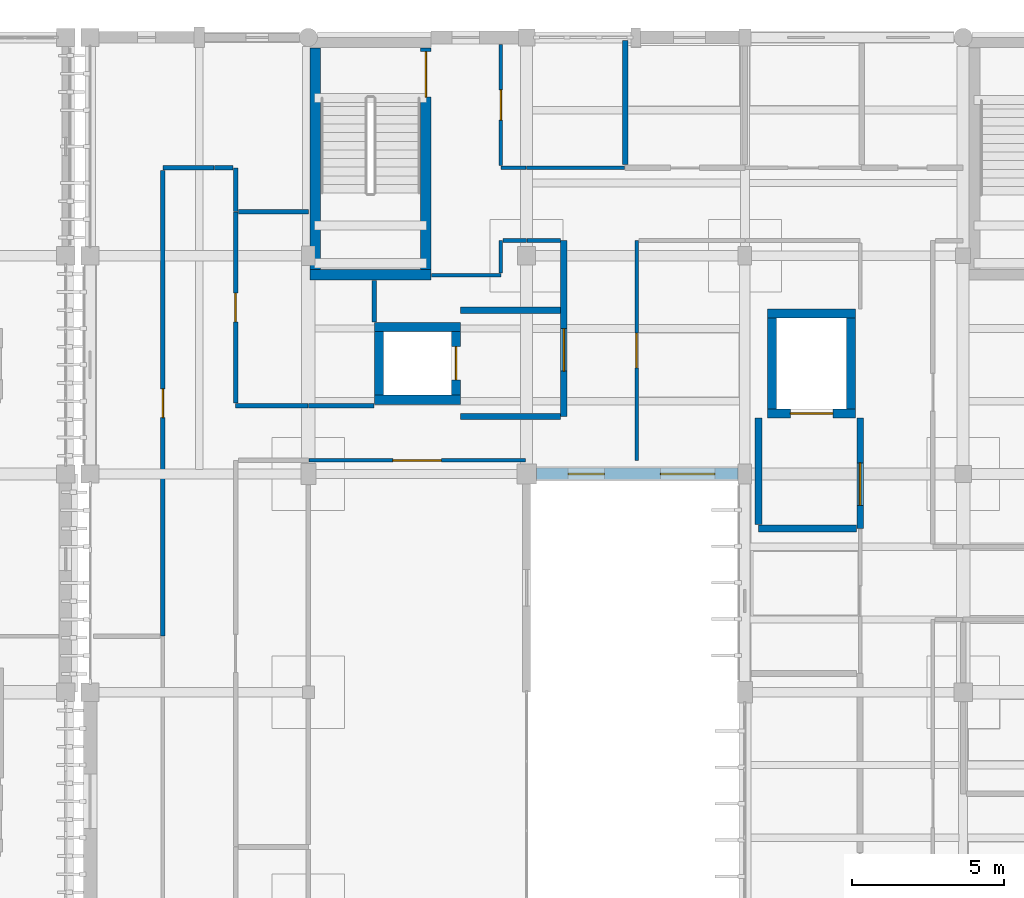
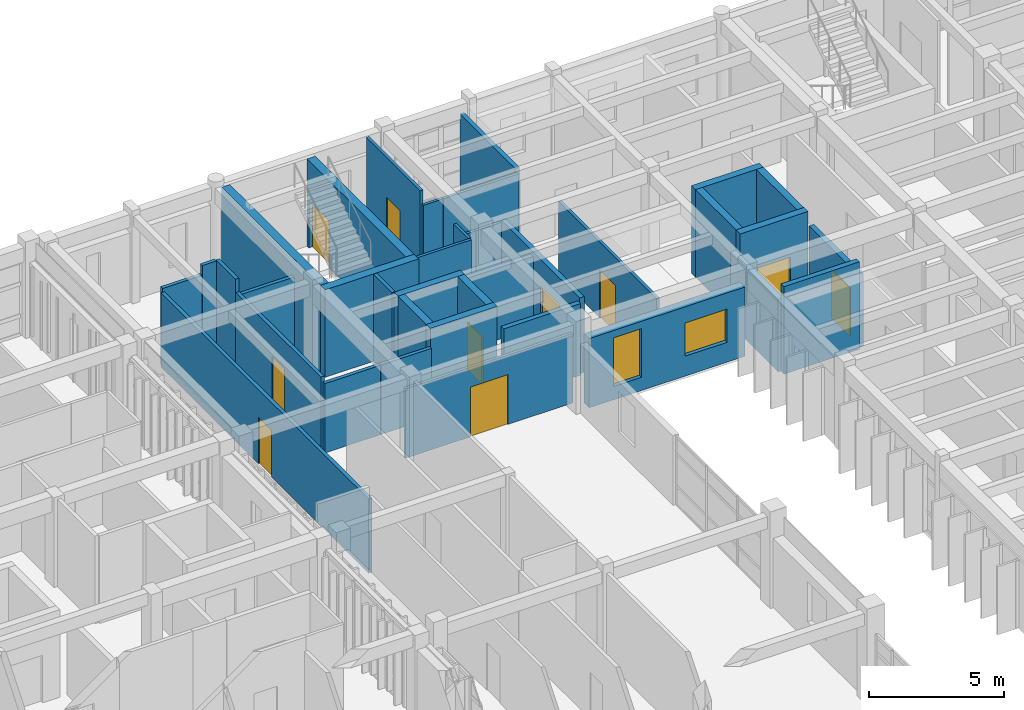
# One storey, part 39 of 55: 37 walls, 10 doors, 2 windows, 12 openings.
"""IFC4 building model written with IfcOpenShell, lengths in metres."""

import ifcopenshell
import ifcopenshell.guid

model = None  # the IFC model being written
_history = None  # IfcOwnerHistory: only IFC2X3 demands one
_inside = {}  # id of a spatial element -> (the spatial element, [elements in it])
_under = {}  # id of a project, library or spatial element -> (it, [spatial elements below it])
_declared = {}  # id of a project -> (the project, [libraries it declares])
_typed = {}  # id of a type object -> (the type object, [elements of that type])
_made_of = {}  # id of a material, layer set ... -> (it, [elements and type objects made of it])


def new_model(schema):
    """Start an empty IFC model of exactly this schema.

    Asked for "IFC4X3", IfcOpenShell would pick the latest addendum, in which some entities
    have other attributes; the version numbers below select the first issue.
    IFC2X3 requires an IfcOwnerHistory on every rooted entity: one is made here for all.
    """
    global model, _history
    if schema == "IFC4X3":
        model = ifcopenshell.file(schema_version=(4, 3, 0, 0))
    else:
        model = ifcopenshell.file(schema=schema)
    _inside.clear()
    _under.clear()
    _declared.clear()
    _typed.clear()
    _made_of.clear()
    _history = None
    if model.schema == "IFC2X3":
        org = make("IfcOrganization", Name="unknown")
        user = make(
            "IfcPersonAndOrganization",
            ThePerson=make("IfcPerson", FamilyName="unknown"),
            TheOrganization=org,
        )
        app = make(
            "IfcApplication",
            ApplicationDeveloper=org,
            Version="unknown",
            ApplicationFullName="unknown",
            ApplicationIdentifier="unknown",
        )
        _history = make(
            "IfcOwnerHistory",
            OwningUser=user,
            OwningApplication=app,
            ChangeAction="ADDED",
            CreationDate=0,
        )
    return model


def make(cls, **values):
    """One entity of the class cls with the attributes given. An attribute that is None is left unset."""
    return model.create_entity(
        cls, **{name: value for name, value in values.items() if value is not None}
    )


def rooted(cls, **values):
    """An entity with a GlobalId (a new one), such as an element, a storey or a relation."""
    return make(cls, GlobalId=ifcopenshell.guid.new(), OwnerHistory=_history, **values)


def si_unit(unit_type, name, prefix=None):
    """IfcSIUnit, for example si_unit("LENGTHUNIT", "METRE", prefix="MILLI")."""
    return make("IfcSIUnit", UnitType=unit_type, Prefix=prefix, Name=name)


def assignment(units):
    """IfcUnitAssignment: the units of a project."""
    return None if units is None else make("IfcUnitAssignment", Units=units)


def point(xyz):
    """IfcCartesianPoint."""
    return None if xyz is None else make("IfcCartesianPoint", Coordinates=xyz)


def direction(xyz):
    """IfcDirection."""
    return None if xyz is None else make("IfcDirection", DirectionRatios=xyz)


def frame(location, z_axis=None, x_axis=None):
    """IfcAxis2Placement3D, a coordinate frame: its origin and axes. An axis left out is left unset."""
    return make(
        "IfcAxis2Placement3D",
        Location=point(location),
        Axis=direction(z_axis),
        RefDirection=direction(x_axis),
    )


def frame_2d(location, x_axis=None):
    """IfcAxis2Placement2D, a coordinate frame in the plane: its origin and x axis."""
    return make(
        "IfcAxis2Placement2D", Location=point(location), RefDirection=direction(x_axis)
    )


def origin():
    """The frame at (0, 0, 0) with its axes left unset."""
    return frame((0.0, 0.0, 0.0))


def place(relative_to, where):
    """IfcLocalPlacement: puts the frame where relative to a parent placement (None: the world)."""
    return make(
        "IfcLocalPlacement", PlacementRelTo=relative_to, RelativePlacement=where
    )


def context(
    kind, dimensions, precision=None, world=None, true_north=None, identifier=None
):
    """IfcGeometricRepresentationContext, for example the 3D "Model" context."""
    return make(
        "IfcGeometricRepresentationContext",
        ContextIdentifier=identifier,
        ContextType=kind,
        CoordinateSpaceDimension=dimensions,
        Precision=precision,
        WorldCoordinateSystem=world,
        TrueNorth=true_north,
    )


def subcontext(parent, identifier, kind, view, scale=None):
    """IfcGeometricRepresentationSubContext, for example "Body" below "Model"."""
    return make(
        "IfcGeometricRepresentationSubContext",
        ContextIdentifier=identifier,
        ContextType=kind,
        ParentContext=parent,
        TargetScale=scale,
        TargetView=view,
    )


def project(units=None, contexts=None):
    """IfcProject with its units and contexts."""
    return rooted(
        "IfcProject",
        Name="project",
        RepresentationContexts=contexts,
        UnitsInContext=assignment(units),
    )


def spatial(cls, under=None, at=None, **own):
    """A site, building, storey or space (cls), placed at a placement, below another one or the project."""
    s = rooted(cls, ObjectPlacement=at, **own)
    if under is not None:
        _under.setdefault(under.id(), (under, []))[1].append(s)
    return s


def profile(cls, at=None, kind="AREA", **sizes):
    """A parametric profile (cls). Its sizes go by their IFC names, for example OverallWidth=200.0."""
    return make(cls, ProfileType=kind, Position=at, **sizes)


def rectangle(**sizes):
    """IfcRectangleProfileDef."""
    return profile("IfcRectangleProfileDef", **sizes)


def extrude(swept, where, along, depth):
    """IfcExtrudedAreaSolid: the profile swept, set in the frame where, extruded along a direction by depth."""
    return make(
        "IfcExtrudedAreaSolid",
        SweptArea=swept,
        Position=where,
        ExtrudedDirection=direction(along),
        Depth=depth,
    )


def shape(context_of_items, identifier, shape_type, items):
    """IfcShapeRepresentation: the items that make up one representation, for example the "Body"."""
    return make(
        "IfcShapeRepresentation",
        ContextOfItems=context_of_items,
        RepresentationIdentifier=identifier,
        RepresentationType=shape_type,
        Items=items,
    )


def material(Name=None, Category=None):
    """IfcMaterial."""
    return make("IfcMaterial", Name=Name, Category=Category)


def layer(
    of_material, thickness, ventilated=None, Name=None, Category=None, Priority=None
):
    """IfcMaterialLayer: one layer of a wall or slab, of a material (None: an air gap)."""
    return make(
        "IfcMaterialLayer",
        Material=of_material,
        LayerThickness=thickness,
        IsVentilated=ventilated,
        Name=Name,
        Category=Category,
        Priority=Priority,
    )


def layer_set(layers, Name=None):
    """IfcMaterialLayerSet."""
    return make("IfcMaterialLayerSet", MaterialLayers=layers, LayerSetName=Name)


def made_of(thing, what):
    """Note that an element or type object is made of a material, layer set ...; save() writes the relation."""
    if what is not None:
        _made_of.setdefault(what.id(), (what, []))[1].append(thing)
    return thing


def type_object(cls, material=None, **own):
    """A type object (cls), such as IfcWallType, which elements share."""
    return made_of(rooted(cls, **own), material)


def element(
    cls,
    number,
    at=None,
    inside=None,
    cuts=None,
    type_object=None,
    material=None,
    context=None,
    identifier="Body",
    shape_type=None,
    held_by="IfcProductDefinitionShape",
    body=None,
    shapes=None,
    **own,
):
    """One element of the class cls, such as IfcWall. Its Tag is "e" and its number.

    at: its placement. inside: the storey or other place that contains it. cuts: it is an
    opening in that element (IfcRelVoidsElement). A single representation is given by context,
    identifier, shape_type and body (its items); several are given by shapes. held_by: the class
    of the entity that holds the representations. save() writes the other relations.
    """
    e = rooted(cls, Tag="e%d" % number, ObjectPlacement=at, **own)
    if body is not None:
        shapes = [shape(context, identifier, shape_type, body)]
    if shapes is not None:
        e.Representation = make(held_by, Representations=shapes)
    if inside is not None:
        _inside.setdefault(inside.id(), (inside, []))[1].append(e)
    if cuts is not None:
        rooted(
            "IfcRelVoidsElement", RelatingBuildingElement=cuts, RelatedOpeningElement=e
        )
    if type_object is not None:
        _typed.setdefault(type_object.id(), (type_object, []))[1].append(e)
    return made_of(e, material)


def fill(opening, filler):
    """IfcRelFillsElement: the door or window that sits in an opening."""
    return rooted(
        "IfcRelFillsElement",
        RelatingOpeningElement=opening,
        RelatedBuildingElement=filler,
    )


def aggregate(whole, parts):
    """IfcRelAggregates: a whole, such as a stair, and the parts it consists of."""
    return rooted("IfcRelAggregates", RelatingObject=whole, RelatedObjects=parts)


def save(model, path):
    """Write the relations noted so far, then the file.

    IfcRelAggregates (storeys below a building ...), IfcRelContainedInSpatialStructure (elements
    in a storey), IfcRelDefinesByType, IfcRelAssociatesMaterial and IfcRelDeclares: one each for
    every whole, place, type object, material and project.
    """
    for whole, parts in _under.values():
        aggregate(whole, parts)
    for where, things in _inside.values():
        rooted(
            "IfcRelContainedInSpatialStructure",
            RelatedElements=things,
            RelatingStructure=where,
        )
    for kind, things in _typed.values():
        rooted("IfcRelDefinesByType", RelatedObjects=things, RelatingType=kind)
    for what, things in _made_of.values():
        rooted("IfcRelAssociatesMaterial", RelatedObjects=things, RelatingMaterial=what)
    for by, libraries in _declared.values():
        rooted("IfcRelDeclares", RelatingContext=by, RelatedDefinitions=libraries)
    model.write(path)


model = new_model("IFC4")

# Units and contexts
model_context = context("Model", 3, precision=1e-05, world=origin(), true_north=direction((0.0, 1.0)))
body_context = subcontext(model_context, "Body", "Model", "MODEL_VIEW")
ifc_project = project(units=[si_unit("LENGTHUNIT", "METRE"), si_unit("AREAUNIT", "SQUARE_METRE"), si_unit("VOLUMEUNIT", "CUBIC_METRE"), si_unit("PLANEANGLEUNIT", "RADIAN"), si_unit("MASSUNIT", "GRAM", prefix="KILO")], contexts=[model_context])

# Site, building, storey
site_placement = place(None, origin())
site = spatial("IfcSite", under=ifc_project, at=site_placement, CompositionType="ELEMENT")
building_placement = place(site_placement, origin())
building = spatial("IfcBuilding", under=site, at=building_placement, Name="Steenspoor Specialist Clinic", CompositionType="ELEMENT")
storey_placement = place(building_placement, frame((0.0, 0.0, 13.199951171875)))
storey = spatial("IfcBuildingStorey", under=building, at=storey_placement, Name="L03", CompositionType="ELEMENT", Elevation=13.199951171875)

# Wall, openings, windows
ifc_material_1 = material(Name="Extruded clay brick masonry", Category="masonry")
ifc_layer_1 = layer(ifc_material_1, 0.3798828125)
ifc_layer_set_1 = layer_set([ifc_layer_1], Name="Extruded clay brick masonry")
wall_type_1 = type_object("IfcWallType", Name="W-BRICK-380", PredefinedType="USERDEFINED", material=ifc_layer_set_1)
wall_1_placement = place(storey_placement, frame((73.77490234375, 93.949951171875, 0.0), z_axis=(0.0, 0.0, 1.0), x_axis=(-1.0, 0.0, 0.0)))
wall_1 = element("IfcWall", 1, at=wall_1_placement, inside=storey, type_object=wall_type_1, Name="Exterior Brick Wall EW-V4-L03-0187", ObjectType="CAVITY VENEER", PredefinedType="USERDEFINED", context=body_context, shape_type="SweptSolid", body=[
    extrude(rectangle(XDim=6.64990234375, YDim=0.3798828125, at=frame_2d((3.324951171875, 0.0))), origin(), (0.0, 0.0, 1.0), 3.130126953125),
])
opening_1_placement = place(wall_1_placement, frame((0.762451171875, 0.0, 0.89990234375)))
opening_1 = element("IfcOpeningElement", 2, at=opening_1_placement, cuts=wall_1, Name="Opening WN-13", PredefinedType="OPENING", context=body_context, shape_type="SweptSolid", body=[
    extrude(rectangle(XDim=1.800048828125, YDim=1.5, at=frame_2d((0.89990234375, 0.75))), frame((0.0, 0.199951171875, 0.0), z_axis=(0.0, -1.0, 0.0), x_axis=(1.0, 0.0, 0.0)), (0.0, 0.0, 1.0), 0.39990234375),
])
opening_2_placement = place(wall_1_placement, frame((4.407470703125, 0.0, 0.60009765625)))
opening_2 = element("IfcOpeningElement", 3, at=opening_2_placement, cuts=wall_1, Name="Opening WN-15", PredefinedType="OPENING", context=body_context, shape_type="SweptSolid", body=[
    extrude(rectangle(XDim=1.199951171875, YDim=2.199951171875, at=frame_2d((0.60009765625, 1.10009765625))), frame((0.0, 0.199951171875, 0.0), z_axis=(0.0, -1.0, 0.0), x_axis=(1.0, 0.0, 0.0)), (0.0, 0.0, 1.0), 0.39990234375),
])
ifc_material_2 = material(Name="Thermally broken aluminium and low-emissivity glass", Category="aluminium")
window_type_1 = type_object("IfcWindowType", Name="WN-EXT-120X220", PartitioningType="SINGLE_PANEL", PredefinedType="WINDOW", material=ifc_material_2)
window_1_placement = place(opening_2_placement, origin())
window_1 = element("IfcWindow", 4, at=window_1_placement, inside=storey, type_object=window_type_1, Name="Window 0217", OverallHeight=2.199951171875, OverallWidth=1.199951171875, PartitioningType="SINGLE_PANEL", PredefinedType="WINDOW", context=body_context, shape_type="SweptSolid", body=[
    extrude(rectangle(XDim=1.199951171875, YDim=2.199951171875, at=frame_2d((0.60009765625, 1.10009765625))), frame((0.0, 0.030029296875, 0.0), z_axis=(0.0, -1.0, 0.0), x_axis=(1.0, 0.0, 0.0)), (0.0, 0.0, 1.0), 0.06005859375),
])
fill(opening_2, window_1)
window_type_2 = type_object("IfcWindowType", Name="WN-EXT-180X150", PartitioningType="SINGLE_PANEL", PredefinedType="WINDOW", material=ifc_material_2)
window_2_placement = place(opening_1_placement, origin())
window_2 = element("IfcWindow", 5, at=window_2_placement, inside=storey, type_object=window_type_2, Name="Window 0216", OverallHeight=1.5, OverallWidth=1.800048828125, PartitioningType="SINGLE_PANEL", PredefinedType="WINDOW", context=body_context, shape_type="SweptSolid", body=[
    extrude(rectangle(XDim=1.800048828125, YDim=1.5, at=frame_2d((0.89990234375, 0.75))), frame((0.0, 0.030029296875, 0.0), z_axis=(0.0, -1.0, 0.0), x_axis=(1.0, 0.0, 0.0)), (0.0, 0.0, 1.0), 0.06005859375),
])
fill(opening_1, window_2)

# Walls
ifc_material_3 = material(Name="Gypsum acoustic clinical partition", Category="gypsum")
ifc_layer_2 = layer(ifc_material_3, 0.14990234375)
ifc_layer_set_2 = layer_set([ifc_layer_2], Name="Gypsum acoustic clinical partition")
wall_type_2 = type_object("IfcWallType", Name="W-CLIN-150", PredefinedType="PARTITIONING", material=ifc_layer_set_2)
wall_2_placement = place(storey_placement, frame((57.199951171875, 102.60498046875, 0.0), z_axis=(0.0, 0.0, 1.0), x_axis=(0.0, 1.0, 0.0)))
element("IfcWall", 6, at=wall_2_placement, inside=storey, type_object=wall_type_2, Name="Interior Partition IW-V4-L03-1575", PredefinedType="PARTITIONING", context=body_context, shape_type="SweptSolid", body=[
    extrude(rectangle(XDim=1.445068359375, YDim=0.14990234375, at=frame_2d((0.72265625, 0.0))), origin(), (0.0, 0.0, 1.0), 3.949951171875),
])
wall_3_placement = place(storey_placement, frame((56.5, 104.050048828125, 0.0), z_axis=(0.0, 0.0, 1.0), x_axis=(1.0, 0.0, 0.0)))
element("IfcWall", 7, at=wall_3_placement, inside=storey, type_object=wall_type_2, Name="Interior Partition IW-V4-L03-1576", PredefinedType="PARTITIONING", context=body_context, shape_type="SweptSolid", body=[
    extrude(rectangle(XDim=0.610107421875, YDim=0.14990234375, at=frame_2d((0.30517578125, 0.0))), origin(), (0.0, 0.0, 1.0), 3.949951171875),
])
wall_4_placement = place(storey_placement, frame((54.800048828125, 104.050048828125, 0.0), z_axis=(0.0, 0.0, 1.0), x_axis=(1.0, 0.0, 0.0)))
element("IfcWall", 8, at=wall_4_placement, inside=storey, type_object=wall_type_2, Name="Interior Partition IW-V4-L03-1577", PredefinedType="PARTITIONING", context=body_context, shape_type="SweptSolid", body=[
    extrude(rectangle(XDim=1.68505859375, YDim=0.14990234375, at=frame_2d((0.842529296875, 0.0))), origin(), (0.0, 0.0, 1.0), 3.51513671875),
])

# Wall, opening, door
wall_5_placement = place(storey_placement, frame((54.800048828125, 88.60009765625, 0.0), z_axis=(0.0, 0.0, 1.0), x_axis=(0.0, 1.0, 0.0)))
wall_5 = element("IfcWall", 9, at=wall_5_placement, inside=storey, type_object=wall_type_2, Name="Interior Partition IW-V4-L03-1578", PredefinedType="PARTITIONING", context=body_context, shape_type="SweptSolid", body=[
    extrude(rectangle(XDim=15.35986328125, YDim=0.14990234375, at=frame_2d((7.679931640625, 0.0))), origin(), (0.0, 0.0, 1.0), 3.35498046875),
])
opening_3_placement = place(wall_5_placement, frame((7.205078125, 0.0, 0.0)))
opening_3 = element("IfcOpeningElement", 10, at=opening_3_placement, cuts=wall_5, Name="Opening D0270", PredefinedType="OPENING", context=body_context, shape_type="SweptSolid", body=[
    extrude(rectangle(XDim=0.949951171875, YDim=2.10009765625, at=frame_2d((0.47509765625, 1.050048828125))), frame((0.0, 0.0849609375, 0.0), z_axis=(0.0, -1.0, 0.0), x_axis=(1.0, 0.0, 0.0)), (0.0, 0.0, 1.0), 0.169921875),
])
ifc_material_4 = material(Name="Moisture-resistant HPL sanitary door", Category="wood")
door_type_1 = type_object("IfcDoorType", Name="DT-WC-095X210", OperationType="NOTDEFINED", PredefinedType="DOOR", material=ifc_material_4)
door_1_placement = place(opening_3_placement, origin())
door_1 = element("IfcDoor", 11, at=door_1_placement, inside=storey, type_object=door_type_1, Name="Clinical Door D0270", OperationType="SINGLE_SWING_LEFT", OverallHeight=2.10009765625, OverallWidth=0.949951171875, PredefinedType="DOOR", context=body_context, shape_type="SweptSolid", body=[
    extrude(rectangle(XDim=0.949951171875, YDim=2.10009765625, at=frame_2d((0.47509765625, 1.050048828125))), frame((0.0, 0.02490234375, 0.0), z_axis=(0.0, -1.0, 0.0), x_axis=(1.0, 0.0, 0.0)), (0.0, 0.0, 1.0), 0.050048828125),
])
fill(opening_3, door_1)

# Walls
wall_6_placement = place(storey_placement, frame((59.60009765625, 96.199951171875, 0.0), z_axis=(0.0, 0.0, 1.0), x_axis=(1.0, 0.0, 0.0)))
element("IfcWall", 12, at=wall_6_placement, inside=storey, type_object=wall_type_2, Name="Interior Partition IW-V4-L03-1584", PredefinedType="PARTITIONING", context=body_context, shape_type="SweptSolid", body=[
    extrude(rectangle(XDim=2.159912109375, YDim=0.14990234375, at=frame_2d((1.080078125, 0.0))), origin(), (0.0, 0.0, 1.0), 3.135009765625),
])
wall_7_placement = place(storey_placement, frame((57.199951171875, 96.199951171875, 0.0), z_axis=(0.0, 0.0, 1.0), x_axis=(1.0, 0.0, 0.0)))
element("IfcWall", 13, at=wall_7_placement, inside=storey, type_object=wall_type_2, Name="Interior Partition IW-V4-L03-1585", PredefinedType="PARTITIONING", context=body_context, shape_type="SweptSolid", body=[
    extrude(rectangle(XDim=2.385009765625, YDim=0.14990234375, at=frame_2d((1.1923828125, 0.0))), origin(), (0.0, 0.0, 1.0), 3.135009765625),
])

# Wall, opening, door
wall_8_placement = place(storey_placement, frame((57.199951171875, 96.2900390625, 0.0), z_axis=(0.0, 0.0, 1.0), x_axis=(0.0, 1.0, 0.0)))
wall_8 = element("IfcWall", 14, at=wall_8_placement, inside=storey, type_object=wall_type_2, Name="Interior Partition IW-V4-L03-1586", PredefinedType="PARTITIONING", context=body_context, shape_type="SweptSolid", body=[
    extrude(rectangle(XDim=6.300048828125, YDim=0.14990234375, at=frame_2d((3.14990234375, 0.0))), origin(), (0.0, 0.0, 1.0), 3.35498046875),
])
opening_4_placement = place(wall_8_placement, frame((2.675048828125, 0.0, 0.0)))
opening_4 = element("IfcOpeningElement", 15, at=opening_4_placement, cuts=wall_8, Name="Opening D0276", PredefinedType="OPENING", context=body_context, shape_type="SweptSolid", body=[
    extrude(rectangle(XDim=0.949951171875, YDim=2.10009765625, at=frame_2d((0.47509765625, 1.050048828125))), frame((0.0, 0.0849609375, 0.0), z_axis=(0.0, -1.0, 0.0), x_axis=(1.0, 0.0, 0.0)), (0.0, 0.0, 1.0), 0.169921875),
])
door_2_placement = place(opening_4_placement, origin())
door_2 = element("IfcDoor", 16, at=door_2_placement, inside=storey, type_object=door_type_1, Name="Clinical Door D0276", OperationType="SINGLE_SWING_LEFT", OverallHeight=2.10009765625, OverallWidth=0.949951171875, PredefinedType="DOOR", context=body_context, shape_type="SweptSolid", body=[
    extrude(rectangle(XDim=0.949951171875, YDim=2.10009765625, at=frame_2d((0.47509765625, 1.050048828125))), frame((0.0, 0.02490234375, 0.0), z_axis=(0.0, -1.0, 0.0), x_axis=(1.0, 0.0, 0.0)), (0.0, 0.0, 1.0), 0.050048828125),
])
fill(opening_4, door_2)

# Walls
wall_9_placement = place(storey_placement, frame((57.2900390625, 102.60498046875, 0.0), z_axis=(0.0, 0.0, 1.0), x_axis=(1.0, 0.0, 0.0)))
element("IfcWall", 17, at=wall_9_placement, inside=storey, type_object=wall_type_2, Name="Interior Partition IW-V4-L03-1737", PredefinedType="PARTITIONING", context=body_context, shape_type="SweptSolid", body=[
    extrude(rectangle(XDim=2.31005859375, YDim=0.14990234375, at=frame_2d((1.155029296875, 0.0))), origin(), (0.0, 0.0, 1.0), 3.235107421875),
])
wall_10_placement = place(storey_placement, frame((61.77490234375, 98.965087890625, 0.0), z_axis=(0.0, 0.0, 1.0), x_axis=(0.0, 1.0, 0.0)))
element("IfcWall", 18, at=wall_10_placement, inside=storey, type_object=wall_type_2, Name="Interior Partition IW-V4-L03-1738", PredefinedType="PARTITIONING", context=body_context, shape_type="SweptSolid", body=[
    extrude(rectangle(XDim=1.369873046875, YDim=0.14990234375, at=frame_2d((0.68505859375, 0.0))), origin(), (0.0, 0.0, 1.0), 3.949951171875),
])

# Wall, opening, door
ifc_material_5 = material(Name="Fire-rated clay blockwork masonry", Category="masonry")
ifc_layer_3 = layer(ifc_material_5, 0.219970703125)
ifc_layer_set_3 = layer_set([ifc_layer_3], Name="Fire-rated clay blockwork masonry")
wall_type_3 = type_object("IfcWallType", Name="W-FIRE-220", PredefinedType="PARTITIONING", material=ifc_layer_set_3)
wall_11_placement = place(storey_placement, frame((77.800048828125, 92.14990234375, 0.0), z_axis=(0.0, 0.0, 1.0), x_axis=(0.0, 1.0, 0.0)))
wall_11 = element("IfcWall", 19, at=wall_11_placement, inside=storey, type_object=wall_type_3, Name="Interior Partition IW-V4-L03-1514", PredefinedType="PARTITIONING", context=body_context, shape_type="SweptSolid", body=[
    extrude(rectangle(XDim=3.650146484375, YDim=0.219970703125, at=frame_2d((1.8251953125, 0.0))), origin(), (0.0, 0.0, 1.0), 3.28515625),
])
opening_5_placement = place(wall_11_placement, frame((0.764892578125, 0.0, 0.0)))
opening_5 = element("IfcOpeningElement", 20, at=opening_5_placement, cuts=wall_11, Name="Opening D0254", PredefinedType="OPENING", context=body_context, shape_type="SweptSolid", body=[
    extrude(rectangle(XDim=1.39990234375, YDim=2.199951171875, at=frame_2d((0.699951171875, 1.10009765625))), frame((0.0, 0.1201171875, 0.0), z_axis=(0.0, -1.0, 0.0), x_axis=(1.0, 0.0, 0.0)), (0.0, 0.0, 1.0), 0.239990234375),
])
ifc_material_6 = material(Name="Fire-rated clinical laminate door", Category="steel")
door_type_2 = type_object("IfcDoorType", Name="DT-LAB-140X220", OperationType="NOTDEFINED", PredefinedType="DOOR", material=ifc_material_6)
door_3_placement = place(opening_5_placement, origin())
door_3 = element("IfcDoor", 21, at=door_3_placement, inside=storey, type_object=door_type_2, Name="Lift Lobby Fire Door D0254", OperationType="SINGLE_SWING_LEFT", OverallHeight=2.199951171875, OverallWidth=1.39990234375, PredefinedType="DOOR", context=body_context, shape_type="SweptSolid", body=[
    extrude(rectangle(XDim=1.39990234375, YDim=2.199951171875, at=frame_2d((0.699951171875, 1.10009765625))), frame((0.0, 0.02490234375, 0.0), z_axis=(0.0, -1.0, 0.0), x_axis=(1.0, 0.0, 0.0)), (0.0, 0.0, 1.0), 0.050048828125),
])
fill(opening_5, door_3)

# Walls
wall_12_placement = place(storey_placement, frame((74.449951171875, 92.14990234375, 0.0), z_axis=(0.0, 0.0, 1.0), x_axis=(1.0, 0.0, 0.0)))
element("IfcWall", 22, at=wall_12_placement, inside=storey, type_object=wall_type_3, Name="Interior Partition IW-V4-L03-1523", PredefinedType="PARTITIONING", context=body_context, shape_type="SweptSolid", body=[
    extrude(rectangle(XDim=3.22509765625, YDim=0.219970703125, at=frame_2d((1.612548828125, 0.0))), origin(), (0.0, 0.0, 1.0), 3.949951171875),
])
wall_13_placement = place(storey_placement, frame((74.449951171875, 92.27490234375, 0.0), z_axis=(0.0, 0.0, 1.0), x_axis=(0.0, 1.0, 0.0)))
element("IfcWall", 23, at=wall_13_placement, inside=storey, type_object=wall_type_3, Name="Interior Partition IW-V4-L03-1524", PredefinedType="PARTITIONING", context=body_context, shape_type="SweptSolid", body=[
    extrude(rectangle(XDim=3.525146484375, YDim=0.219970703125, at=frame_2d((1.7626953125, 0.0))), origin(), (0.0, 0.0, 1.0), 3.28515625),
])

# Wall, opening, door
ifc_material_7 = material(Name="Gypsum studio partition board", Category="gypsum")
ifc_layer_4 = layer(ifc_material_7, 0.1201171875)
ifc_layer_set_4 = layer_set([ifc_layer_4], Name="Gypsum studio partition board")
wall_type_4 = type_object("IfcWallType", Name="W-PART-120", PredefinedType="PARTITIONING", material=ifc_layer_set_4)
wall_14_placement = place(storey_placement, frame((59.614990234375, 94.39990234375, 0.0), z_axis=(0.0, 0.0, 1.0), x_axis=(1.0, 0.0, 0.0)))
wall_14 = element("IfcWall", 24, at=wall_14_placement, inside=storey, type_object=wall_type_4, Name="Interior Partition IW-V4-L03-1635", PredefinedType="PARTITIONING", context=body_context, shape_type="SweptSolid", body=[
    extrude(rectangle(XDim=7.14501953125, YDim=0.1201171875, at=frame_2d((3.572509765625, 0.0))), origin(), (0.0, 0.0, 1.0), 3.135009765625),
])
opening_6_placement = place(wall_14_placement, frame((2.7724609375, 0.0, 0.0)))
opening_6 = element("IfcOpeningElement", 25, at=opening_6_placement, cuts=wall_14, Name="Opening D0259", PredefinedType="OPENING", context=body_context, shape_type="SweptSolid", body=[
    extrude(rectangle(XDim=1.60009765625, YDim=2.25, at=frame_2d((0.800048828125, 1.125))), frame((0.0, 0.070068359375, 0.0), z_axis=(0.0, -1.0, 0.0), x_axis=(1.0, 0.0, 0.0)), (0.0, 0.0, 1.0), 0.14013671875),
])
ifc_material_8 = material(Name="Hygienic HPL clinical timber door", Category="wood")
door_type_3 = type_object("IfcDoorType", Name="DT-PROC-160X225", OperationType="NOTDEFINED", PredefinedType="DOOR", material=ifc_material_8)
door_4_placement = place(opening_6_placement, origin())
door_4 = element("IfcDoor", 26, at=door_4_placement, inside=storey, type_object=door_type_3, Name="Clinical Door D0259", OperationType="SINGLE_SWING_RIGHT", OverallHeight=2.25, OverallWidth=1.60009765625, PredefinedType="DOOR", context=body_context, shape_type="SweptSolid", body=[
    extrude(rectangle(XDim=1.60009765625, YDim=2.25, at=frame_2d((0.800048828125, 1.125))), frame((0.0, 0.02490234375, 0.0), z_axis=(0.0, -1.0, 0.0), x_axis=(1.0, 0.0, 0.0)), (0.0, 0.0, 1.0), 0.050048828125),
])
fill(opening_6, door_4)

wall_15_placement = place(storey_placement, frame((70.429931640625, 94.39990234375, 0.0), z_axis=(0.0, 0.0, 1.0), x_axis=(0.0, 1.0, 0.0)))
wall_15 = element("IfcWall", 27, at=wall_15_placement, inside=storey, type_object=wall_type_4, Name="Interior Partition IW-V4-L03-1648", PredefinedType="PARTITIONING", context=body_context, shape_type="SweptSolid", body=[
    extrude(rectangle(XDim=7.25, YDim=0.1201171875, at=frame_2d((3.625, 0.0))), origin(), (0.0, 0.0, 1.0), 3.4150390625),
])
opening_7_placement = place(wall_15_placement, frame((3.050048828125, 0.0, 0.0)))
opening_7 = element("IfcOpeningElement", 28, at=opening_7_placement, cuts=wall_15, Name="Opening D0273", PredefinedType="OPENING", context=body_context, shape_type="SweptSolid", body=[
    extrude(rectangle(XDim=1.14990234375, YDim=2.14990234375, at=frame_2d((0.574951171875, 1.074951171875))), frame((0.0, 0.070068359375, 0.0), z_axis=(0.0, -1.0, 0.0), x_axis=(1.0, 0.0, 0.0)), (0.0, 0.0, 1.0), 0.14013671875),
])
ifc_material_9 = material(Name="Solid-core hardwood clinical door", Category="wood")
door_type_4 = type_object("IfcDoorType", Name="DT-CONS-115X215", OperationType="NOTDEFINED", PredefinedType="DOOR", material=ifc_material_9)
door_5_placement = place(opening_7_placement, origin())
door_5 = element("IfcDoor", 29, at=door_5_placement, inside=storey, type_object=door_type_4, Name="Clinical Door D0273", OperationType="SINGLE_SWING_RIGHT", OverallHeight=2.14990234375, OverallWidth=1.14990234375, PredefinedType="DOOR", context=body_context, shape_type="SweptSolid", body=[
    extrude(rectangle(XDim=1.14990234375, YDim=2.14990234375, at=frame_2d((0.574951171875, 1.074951171875))), frame((0.0, 0.02490234375, 0.0), z_axis=(0.0, -1.0, 0.0), x_axis=(1.0, 0.0, 0.0)), (0.0, 0.0, 1.0), 0.050048828125),
])
fill(opening_7, door_5)

# Walls
wall_16_placement = place(storey_placement, frame((66.800048828125, 104.050048828125, 0.0), z_axis=(0.0, 0.0, 1.0), x_axis=(1.0, 0.0, 0.0)))
element("IfcWall", 30, at=wall_16_placement, inside=storey, type_object=wall_type_4, Name="Interior Partition IW-V4-L03-1652", PredefinedType="PARTITIONING", context=body_context, shape_type="SweptSolid", body=[
    extrude(rectangle(XDim=3.23486328125, YDim=0.1201171875, at=frame_2d((1.617431640625, 0.0))), origin(), (0.0, 0.0, 1.0), 3.35498046875),
])
wall_17_placement = place(storey_placement, frame((65.949951171875, 104.050048828125, 0.0), z_axis=(0.0, 0.0, 1.0), x_axis=(1.0, 0.0, 0.0)))
element("IfcWall", 31, at=wall_17_placement, inside=storey, type_object=wall_type_4, Name="Interior Partition IW-V4-L03-1653", PredefinedType="PARTITIONING", context=body_context, shape_type="SweptSolid", body=[
    extrude(rectangle(XDim=0.8349609375, YDim=0.1201171875, at=frame_2d((0.41748046875, 0.0))), origin(), (0.0, 0.0, 1.0), 3.35498046875),
])

# Wall, opening, door
wall_18_placement = place(storey_placement, frame((65.949951171875, 104.125, 0.0), z_axis=(0.0, 0.0, 1.0), x_axis=(0.0, 1.0, 0.0)))
wall_18 = element("IfcWall", 32, at=wall_18_placement, inside=storey, type_object=wall_type_4, Name="Interior Partition IW-V4-L03-1654", PredefinedType="PARTITIONING", context=body_context, shape_type="SweptSolid", body=[
    extrude(rectangle(XDim=3.989990234375, YDim=0.1201171875, at=frame_2d((1.9951171875, 0.0))), origin(), (0.0, 0.0, 1.0), 3.949951171875),
])
opening_8_placement = place(wall_18_placement, frame((1.4951171875, 0.0, 0.0)))
opening_8 = element("IfcOpeningElement", 33, at=opening_8_placement, cuts=wall_18, Name="Opening D0275", PredefinedType="OPENING", context=body_context, shape_type="SweptSolid", body=[
    extrude(rectangle(XDim=1.0, YDim=2.14990234375, at=frame_2d((0.5, 1.074951171875))), frame((0.0, 0.070068359375, 0.0), z_axis=(0.0, -1.0, 0.0), x_axis=(1.0, 0.0, 0.0)), (0.0, 0.0, 1.0), 0.14013671875),
])
ifc_material_10 = material(Name="Moisture-resistant HPL accessible WC door", Category="wood")
door_type_5 = type_object("IfcDoorType", Name="DT-AWC-100X215", OperationType="NOTDEFINED", PredefinedType="DOOR", material=ifc_material_10)
door_6_placement = place(opening_8_placement, origin())
door_6 = element("IfcDoor", 34, at=door_6_placement, inside=storey, type_object=door_type_5, Name="Clinical Door D0275", OperationType="SINGLE_SWING_RIGHT", OverallHeight=2.14990234375, OverallWidth=1.0, PredefinedType="DOOR", context=body_context, shape_type="SweptSolid", body=[
    extrude(rectangle(XDim=1.0, YDim=2.14990234375, at=frame_2d((0.5, 1.074951171875))), frame((0.0, 0.02490234375, 0.0), z_axis=(0.0, -1.0, 0.0), x_axis=(1.0, 0.0, 0.0)), (0.0, 0.0, 1.0), 0.050048828125),
])
fill(opening_8, door_6)

# Walls
wall_19_placement = place(storey_placement, frame((63.6650390625, 100.5, 0.0), z_axis=(0.0, 0.0, 1.0), x_axis=(1.0, 0.0, 0.0)))
element("IfcWall", 35, at=wall_19_placement, inside=storey, type_object=wall_type_4, Name="Interior Partition IW-V4-L03-1655", PredefinedType="PARTITIONING", context=body_context, shape_type="SweptSolid", body=[
    extrude(rectangle(XDim=2.284912109375, YDim=0.1201171875, at=frame_2d((1.142578125, 0.0))), origin(), (0.0, 0.0, 1.0), 3.949951171875),
])
wall_20_placement = place(storey_placement, frame((65.949951171875, 100.574951171875, 0.0), z_axis=(0.0, 0.0, 1.0), x_axis=(0.0, 1.0, 0.0)))
element("IfcWall", 36, at=wall_20_placement, inside=storey, type_object=wall_type_4, Name="Interior Partition IW-V4-L03-1656", PredefinedType="PARTITIONING", context=body_context, shape_type="SweptSolid", body=[
    extrude(rectangle(XDim=1.074951171875, YDim=0.1201171875, at=frame_2d((0.53759765625, 0.0))), origin(), (0.0, 0.0, 1.0), 3.949951171875),
])
wall_21_placement = place(storey_placement, frame((66.02490234375, 101.64990234375, 0.0), z_axis=(0.0, 0.0, 1.0), x_axis=(1.0, 0.0, 0.0)))
element("IfcWall", 37, at=wall_21_placement, inside=storey, type_object=wall_type_4, Name="Interior Partition IW-V4-L03-1657", PredefinedType="PARTITIONING", context=body_context, shape_type="SweptSolid", body=[
    extrude(rectangle(XDim=0.775146484375, YDim=0.1201171875, at=frame_2d((0.3876953125, 0.0))), origin(), (0.0, 0.0, 1.0), 3.35498046875),
])
wall_22_placement = place(storey_placement, frame((66.81494140625, 101.64990234375, 0.0), z_axis=(0.0, 0.0, 1.0), x_axis=(1.0, 0.0, 0.0)))
element("IfcWall", 38, at=wall_22_placement, inside=storey, type_object=wall_type_4, Name="Interior Partition IW-V4-L03-1658", PredefinedType="PARTITIONING", context=body_context, shape_type="SweptSolid", body=[
    extrude(rectangle(XDim=1.094970703125, YDim=0.1201171875, at=frame_2d((0.54736328125, 0.0))), origin(), (0.0, 0.0, 1.0), 3.35498046875),
])
ifc_material_11 = material(Name="Moisture-resistant gypsum plumbing wall", Category="gypsum")
ifc_layer_5 = layer(ifc_material_11, 0.179931640625)
ifc_layer_set_5 = layer_set([ifc_layer_5], Name="Moisture-resistant gypsum plumbing wall")
wall_type_5 = type_object("IfcWallType", Name="W-PLUMB-180", PredefinedType="PLUMBINGWALL", material=ifc_layer_set_5)
wall_23_placement = place(storey_placement, frame((70.050048828125, 104.155029296875, 0.0), z_axis=(0.0, 0.0, 1.0), x_axis=(0.0, 1.0, 0.0)))
element("IfcWall", 39, at=wall_23_placement, inside=storey, type_object=wall_type_5, Name="Interior Partition IW-V4-L03-1707", PredefinedType="PLUMBINGWALL", context=body_context, shape_type="SweptSolid", body=[
    extrude(rectangle(XDim=4.090087890625, YDim=0.179931640625, at=frame_2d((2.044921875, 0.0))), origin(), (0.0, 0.0, 1.0), 3.51513671875),
])

# Wall, opening, door
ifc_material_12 = material(Name="Gypsum acoustic smoke barrier board", Category="gypsum")
ifc_layer_6 = layer(ifc_material_12, 0.199951171875)
ifc_layer_set_6 = layer_set([ifc_layer_6], Name="Gypsum acoustic smoke barrier board")
wall_type_6 = type_object("IfcWallType", Name="W-SMOKE-200", PredefinedType="PARTITIONING", material=ifc_layer_set_6)
wall_24_placement = place(storey_placement, frame((68.02490234375, 95.85009765625, 0.0), z_axis=(0.0, 0.0, 1.0), x_axis=(0.0, 1.0, 0.0)))
wall_24 = element("IfcWall", 40, at=wall_24_placement, inside=storey, type_object=wall_type_6, Name="Interior Partition IW-V4-L03-1517", PredefinedType="PARTITIONING", context=body_context, shape_type="SweptSolid", body=[
    extrude(rectangle(XDim=5.7998046875, YDim=0.199951171875, at=frame_2d((2.89990234375, 0.0))), origin(), (0.0, 0.0, 1.0), 3.4150390625),
])
opening_9_placement = place(wall_24_placement, frame((1.49609375, 0.0, 0.0)))
opening_9 = element("IfcOpeningElement", 41, at=opening_9_placement, cuts=wall_24, Name="Opening D0256", PredefinedType="OPENING", context=body_context, shape_type="SweptSolid", body=[
    extrude(rectangle(XDim=1.39990234375, YDim=2.199951171875, at=frame_2d((0.699951171875, 1.10009765625))), frame((0.0, 0.10986328125, 0.0), z_axis=(0.0, -1.0, 0.0), x_axis=(1.0, 0.0, 0.0)), (0.0, 0.0, 1.0), 0.219970703125),
])
door_7_placement = place(opening_9_placement, origin())
door_7 = element("IfcDoor", 42, at=door_7_placement, inside=storey, type_object=door_type_2, Name="Lift Lobby Fire Door D0256", OperationType="SINGLE_SWING_LEFT", OverallHeight=2.199951171875, OverallWidth=1.39990234375, PredefinedType="DOOR", context=body_context, shape_type="SweptSolid", body=[
    extrude(rectangle(XDim=1.39990234375, YDim=2.199951171875, at=frame_2d((0.699951171875, 1.10009765625))), frame((0.0, 0.02490234375, 0.0), z_axis=(0.0, -1.0, 0.0), x_axis=(1.0, 0.0, 0.0)), (0.0, 0.0, 1.0), 0.050048828125),
])
fill(opening_9, door_7)

# Walls
for number, where, z_axis, x_axis, name in (
    (43, (64.625, 95.85009765625, 0.0), (0.0, 0.0, 1.0), (1.0, 0.0, 0.0), "Interior Partition IW-V4-L03-1518"),
    (44, (64.625, 99.35009765625, 0.0), (0.0, 0.0, 1.0), (1.0, 0.0, 0.0), "Interior Partition IW-V4-L03-1530"),
):
    element("IfcWall", number, at=place(storey_placement, frame(where, z_axis=z_axis, x_axis=x_axis)), inside=storey, type_object=wall_type_6, Name=name, PredefinedType="PARTITIONING", context=body_context, shape_type="SweptSolid", body=[
        extrude(rectangle(XDim=3.284912109375, YDim=0.199951171875, at=frame_2d((1.642578125, 0.0))), origin(), (0.0, 0.0, 1.0), 3.235107421875),
    ])

# Wall, opening, door
ifc_material_13 = material(Name="Concrete C40/50", Category="concrete")
ifc_layer_7 = layer(ifc_material_13, 0.300048828125)
ifc_layer_set_7 = layer_set([ifc_layer_7], Name="Concrete C40/50")
wall_type_7 = type_object("IfcWallType", Name="W-SW-300", PredefinedType="SHEAR", material=ifc_layer_set_7)
wall_25_placement = place(storey_placement, frame((74.75, 95.949951171875, 0.0), z_axis=(0.0, 0.0, 1.0), x_axis=(1.0, 0.0, 0.0)))
wall_25 = element("IfcWall", 45, at=wall_25_placement, inside=storey, type_object=wall_type_7, Name="Lift Shaft Shear Wall SW-EL-S1-L03-S", PredefinedType="SHEAR", context=body_context, shape_type="SweptSolid", body=[
    extrude(rectangle(XDim=2.89990234375, YDim=0.300048828125, at=frame_2d((1.449951171875, 0.0))), origin(), (0.0, 0.0, 1.0), 3.949951171875),
])
opening_10_placement = place(wall_25_placement, frame((0.75, 0.0, 0.0)))
opening_10 = element("IfcOpeningElement", 46, at=opening_10_placement, cuts=wall_25, Name="Opening LD04", PredefinedType="OPENING", context=body_context, shape_type="SweptSolid", body=[
    extrude(rectangle(XDim=1.39990234375, YDim=2.14990234375, at=frame_2d((0.699951171875, 1.074951171875))), frame((0.0, 0.16015625, 0.0), z_axis=(0.0, -1.0, 0.0), x_axis=(1.0, 0.0, 0.0)), (0.0, 0.0, 1.0), 0.320068359375),
])
ifc_material_14 = material(Name="Stainless steel lift landing door", Category="steel")
door_type_6 = type_object("IfcDoorType", Name="DT-LIFT-S-140", OperationType="NOTDEFINED", PredefinedType="DOOR", material=ifc_material_14)
door_8_placement = place(opening_10_placement, origin())
door_8 = element("IfcDoor", 47, at=door_8_placement, inside=storey, type_object=door_type_6, Name="Lift Landing Door LD04", OperationType="SLIDING_TO_LEFT", OverallHeight=2.14990234375, OverallWidth=1.39990234375, PredefinedType="DOOR", context=body_context, shape_type="SweptSolid", body=[
    extrude(rectangle(XDim=1.39990234375, YDim=2.14990234375, at=frame_2d((0.699951171875, 1.074951171875))), frame((0.0, 0.02490234375, 0.0), z_axis=(0.0, -1.0, 0.0), x_axis=(1.0, 0.0, 0.0)), (0.0, 0.0, 1.0), 0.050048828125),
])
fill(opening_10, door_8)

# Walls
wall_26_placement = place(storey_placement, frame((74.75, 99.25, 0.0), z_axis=(0.0, 0.0, 1.0), x_axis=(1.0, 0.0, 0.0)))
element("IfcWall", 48, at=wall_26_placement, inside=storey, type_object=wall_type_7, Name="Lift Shaft Shear Wall SW-EL-S1-L03-N", PredefinedType="SHEAR", context=body_context, shape_type="SweptSolid", body=[
    extrude(rectangle(XDim=2.89990234375, YDim=0.300048828125, at=frame_2d((1.449951171875, 0.0))), origin(), (0.0, 0.0, 1.0), 3.949951171875),
])
for number, where, z_axis, x_axis, name in (
    (49, (74.89990234375, 96.10009765625, 0.0), (0.0, 0.0, 1.0), (0.0, 1.0, 0.0), "Lift Shaft Shear Wall SW-EL-S1-L03-W"),
    (50, (77.5, 96.10009765625, 0.0), (0.0, 0.0, 1.0), (0.0, 1.0, 0.0), "Lift Shaft Shear Wall SW-EL-S1-L03-E"),
):
    element("IfcWall", number, at=place(storey_placement, frame(where, z_axis=z_axis, x_axis=x_axis)), inside=storey, type_object=wall_type_7, Name=name, PredefinedType="SHEAR", context=body_context, shape_type="SweptSolid", body=[
        extrude(rectangle(XDim=3.0, YDim=0.300048828125, at=frame_2d((1.5, 0.0))), origin(), (0.0, 0.0, 1.0), 3.949951171875),
    ])
for number, where, z_axis, x_axis, name in (
    (51, (61.77490234375, 96.39990234375, 0.0), (0.0, 0.0, 1.0), (1.0, 0.0, 0.0), "Lift Shaft Shear Wall SW-EL-P2-L03-S"),
    (52, (61.77490234375, 98.800048828125, 0.0), (0.0, 0.0, 1.0), (1.0, 0.0, 0.0), "Lift Shaft Shear Wall SW-EL-P2-L03-N"),
):
    element("IfcWall", number, at=place(storey_placement, frame(where, z_axis=z_axis, x_axis=x_axis)), inside=storey, type_object=wall_type_7, Name=name, PredefinedType="SHEAR", context=body_context, shape_type="SweptSolid", body=[
        extrude(rectangle(XDim=2.85009765625, YDim=0.300048828125, at=frame_2d((1.425048828125, 0.0))), origin(), (0.0, 0.0, 1.0), 3.949951171875),
    ])
wall_27_placement = place(storey_placement, frame((61.925048828125, 96.550048828125, 0.0), z_axis=(0.0, 0.0, 1.0), x_axis=(0.0, 1.0, 0.0)))
element("IfcWall", 53, at=wall_27_placement, inside=storey, type_object=wall_type_7, Name="Lift Shaft Shear Wall SW-EL-P2-L03-W", PredefinedType="SHEAR", context=body_context, shape_type="SweptSolid", body=[
    extrude(rectangle(XDim=2.099853515625, YDim=0.300048828125, at=frame_2d((1.0498046875, 0.0))), origin(), (0.0, 0.0, 1.0), 3.949951171875),
])

# Wall, opening, door
wall_28_placement = place(storey_placement, frame((64.47509765625, 96.550048828125, 0.0), z_axis=(0.0, 0.0, 1.0), x_axis=(0.0, 1.0, 0.0)))
wall_28 = element("IfcWall", 54, at=wall_28_placement, inside=storey, type_object=wall_type_7, Name="Lift Shaft Shear Wall SW-EL-P2-L03-E", PredefinedType="SHEAR", context=body_context, shape_type="SweptSolid", body=[
    extrude(rectangle(XDim=2.099853515625, YDim=0.300048828125, at=frame_2d((1.0498046875, 0.0))), origin(), (0.0, 0.0, 1.0), 3.949951171875),
])
opening_11_placement = place(wall_28_placement, frame((0.5, 0.0, 0.0)))
opening_11 = element("IfcOpeningElement", 55, at=opening_11_placement, cuts=wall_28, Name="Opening LD20", PredefinedType="OPENING", context=body_context, shape_type="SweptSolid", body=[
    extrude(rectangle(XDim=1.10009765625, YDim=2.14990234375, at=frame_2d((0.550048828125, 1.074951171875))), frame((0.0, 0.16015625, 0.0), z_axis=(0.0, -1.0, 0.0), x_axis=(1.0, 0.0, 0.0)), (0.0, 0.0, 1.0), 0.320068359375),
])
door_type_7 = type_object("IfcDoorType", Name="DT-LIFT-P-110", OperationType="NOTDEFINED", PredefinedType="DOOR", material=ifc_material_14)
door_9_placement = place(opening_11_placement, origin())
door_9 = element("IfcDoor", 56, at=door_9_placement, inside=storey, type_object=door_type_7, Name="Lift Landing Door LD20", OperationType="SLIDING_TO_LEFT", OverallHeight=2.14990234375, OverallWidth=1.10009765625, PredefinedType="DOOR", context=body_context, shape_type="SweptSolid", body=[
    extrude(rectangle(XDim=1.10009765625, YDim=2.14990234375, at=frame_2d((0.550048828125, 1.074951171875))), frame((0.0, 0.02490234375, 0.0), z_axis=(0.0, -1.0, 0.0), x_axis=(1.0, 0.0, 0.0)), (0.0, 0.0, 1.0), 0.050048828125),
])
fill(opening_11, door_9)

# Walls
ifc_layer_8 = layer(ifc_material_13, 0.35009765625)
ifc_layer_set_8 = layer_set([ifc_layer_8], Name="Concrete C40/50")
wall_type_8 = type_object("IfcWallType", Name="W-SW-350", PredefinedType="SHEAR", material=ifc_layer_set_8)
wall_29_placement = place(storey_placement, frame((59.64990234375, 100.52490234375, 0.0), z_axis=(0.0, 0.0, 1.0), x_axis=(1.0, 0.0, 0.0)))
element("IfcWall", 57, at=wall_29_placement, inside=storey, type_object=wall_type_8, Name="Core Shear Wall SW-ST-V4A-L03-S", PredefinedType="SHEAR", context=body_context, shape_type="SweptSolid", body=[
    extrude(rectangle(XDim=4.0, YDim=0.35009765625, at=frame_2d((2.0, 0.0))), origin(), (0.0, 0.0, 1.0), 3.949951171875),
])
wall_30_placement = place(storey_placement, frame((59.824951171875, 100.699951171875, 0.0), z_axis=(0.0, 0.0, 1.0), x_axis=(0.0, 1.0, 0.0)))
element("IfcWall", 58, at=wall_30_placement, inside=storey, type_object=wall_type_8, Name="Core Shear Wall SW-ST-V4A-L03-W", PredefinedType="SHEAR", context=body_context, shape_type="SweptSolid", body=[
    extrude(rectangle(XDim=7.300048828125, YDim=0.35009765625, at=frame_2d((3.64990234375, 0.0))), origin(), (0.0, 0.0, 1.0), 3.949951171875),
])

# Wall, opening, door
wall_31_placement = place(storey_placement, frame((63.47509765625, 100.699951171875, 0.0), z_axis=(0.0, 0.0, 1.0), x_axis=(0.0, 1.0, 0.0)))
wall_31 = element("IfcWall", 59, at=wall_31_placement, inside=storey, type_object=wall_type_8, Name="Core Shear Wall SW-ST-V4A-L03-E", PredefinedType="SHEAR", context=body_context, shape_type="SweptSolid", body=[
    extrude(rectangle(XDim=7.300048828125, YDim=0.35009765625, at=frame_2d((3.64990234375, 0.0))), origin(), (0.0, 0.0, 1.0), 3.949951171875),
])
opening_12_placement = place(wall_31_placement, frame((5.679931640625, 0.0, 0.0)))
opening_12 = element("IfcOpeningElement", 60, at=opening_12_placement, cuts=wall_31, Name="Opening SD012", PredefinedType="OPENING", context=body_context, shape_type="SweptSolid", body=[
    extrude(rectangle(XDim=1.5, YDim=2.14990234375, at=frame_2d((0.75, 1.074951171875))), frame((0.0, 0.18505859375, 0.0), z_axis=(0.0, -1.0, 0.0), x_axis=(1.0, 0.0, 0.0)), (0.0, 0.0, 1.0), 0.3701171875),
])
ifc_material_15 = material(Name="Fire-rated steel acoustic door", Category="steel")
door_type_8 = type_object("IfcDoorType", Name="DT-STAIR-150X215", OperationType="NOTDEFINED", PredefinedType="DOOR", material=ifc_material_15)
door_10_placement = place(opening_12_placement, origin())
door_10 = element("IfcDoor", 61, at=door_10_placement, inside=storey, type_object=door_type_8, Name="Exit Stair Fire Door SD012", OperationType="SINGLE_SWING_LEFT", OverallHeight=2.14990234375, OverallWidth=1.5, PredefinedType="DOOR", context=body_context, shape_type="SweptSolid", body=[
    extrude(rectangle(XDim=1.5, YDim=2.14990234375, at=frame_2d((0.75, 1.074951171875))), frame((0.0, 0.02490234375, 0.0), z_axis=(0.0, -1.0, 0.0), x_axis=(1.0, 0.0, 0.0)), (0.0, 0.0, 1.0), 0.050048828125),
])
fill(opening_12, door_10)

save(model, "model.ifc")
